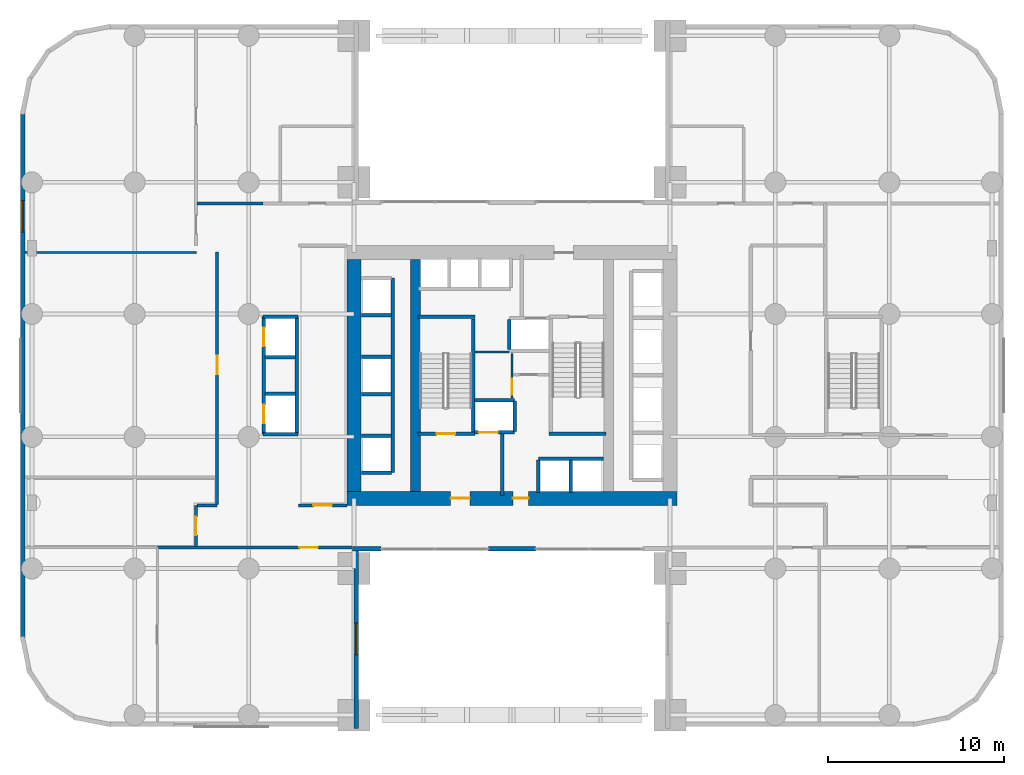
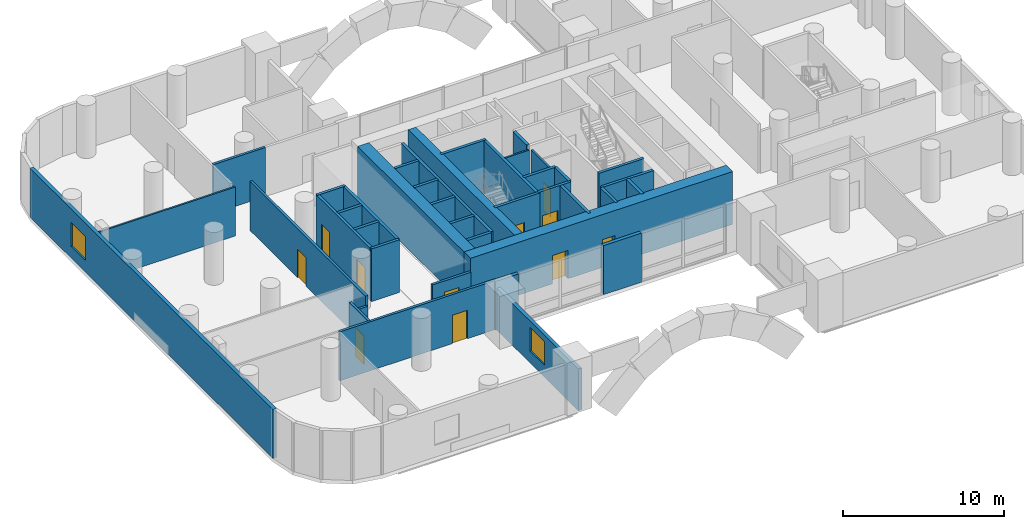
# One storey, part 5 of 9: 40 walls, 11 doors, 2 windows, 13 openings.
"""IFC4 building model written with IfcOpenShell, lengths in metres."""

from ifc_helpers import new_model, si_unit, direction, frame, frame_2d, origin, place, context, subcontext, project, spatial, rectangle, extrude, material, layer, layer_set, type_object, element, fill, save


model = new_model("IFC4")

# Units and contexts
model_context = context("Model", 3, precision=1e-05, world=origin(), true_north=direction((0.0, 1.0)))
body_context = subcontext(model_context, "Body", "Model", "MODEL_VIEW")
ifc_project = project(units=[si_unit("LENGTHUNIT", "METRE"), si_unit("AREAUNIT", "SQUARE_METRE"), si_unit("VOLUMEUNIT", "CUBIC_METRE"), si_unit("PLANEANGLEUNIT", "RADIAN"), si_unit("MASSUNIT", "GRAM", prefix="KILO")], contexts=[model_context])

# Site, building, storey
site_placement = place(None, origin())
site = spatial("IfcSite", under=ifc_project, at=site_placement, CompositionType="ELEMENT")
building_placement = place(site_placement, origin())
building = spatial("IfcBuilding", under=site, at=building_placement, Name="Veldorim Arch Residences", CompositionType="ELEMENT")
storey_placement = place(building_placement, frame((0.0, 0.0, 8.0)))
storey = spatial("IfcBuildingStorey", under=building, at=storey_placement, Name="L02", CompositionType="ELEMENT", Elevation=8.0)

# Wall, opening, door
ifc_material_1 = material(Name="Acoustic Gypsum Board", Category="gypsum")
ifc_layer_1 = layer(ifc_material_1, 0.125, Name="Acoustic Stud Room Partition Wall 125")
ifc_layer_set_1 = layer_set([ifc_layer_1], Name="Acoustic Gypsum Board")
wall_type_1 = type_object("IfcWallType", Name="Acoustic Stud Room Partition Wall 125", PredefinedType="PARTITIONING", material=ifc_layer_set_1)
wall_1_placement = place(storey_placement, frame((32.0, 22.719970703125, 0.0), z_axis=(0.0, 0.0, 1.0), x_axis=(0.0, 1.0, 0.0)))
wall_1 = element("IfcWall", 1, at=wall_1_placement, inside=storey, type_object=wall_type_1, Name="L02 interior wall WL-CA-L02-1", PredefinedType="PARTITIONING", context=body_context, shape_type="SweptSolid", body=[
    extrude(rectangle(XDim=2.52001953125, YDim=0.125, at=frame_2d((1.260009765625, 0.0))), origin(), (0.0, 0.0, 1.0), 3.715087890625),
])
opening_1_placement = place(wall_1_placement, frame((0.179931640625, 0.0, 0.0)))
opening_1 = element("IfcOpeningElement", 2, at=opening_1_placement, cuts=wall_1, Name="Opening DR-SVC", PredefinedType="OPENING", context=body_context, shape_type="SweptSolid", body=[
    extrude(rectangle(XDim=0.89990234375, YDim=2.10009765625, at=frame_2d((0.449951171875, 1.050048828125))), frame((0.0, 0.072509765625, 0.0), z_axis=(0.0, -1.0, 0.0), x_axis=(1.0, 0.0, 0.0)), (0.0, 0.0, 1.0), 0.14501953125),
])
ifc_material_2 = material(Name="Fire-Rated Steel", Category="steel")
door_type_1 = type_object("IfcDoorType", Name="Riser, Shelter & Plant Room Rated Steel Door 900x2100", OperationType="SINGLE_SWING_LEFT", PredefinedType="DOOR", material=ifc_material_2)
door_1_placement = place(opening_1_placement, origin())
door_1 = element("IfcDoor", 3, at=door_1_placement, inside=storey, type_object=door_type_1, Name="L02 interior door DR-L02-CA2", OperationType="SINGLE_SWING_RIGHT", OverallHeight=2.10009765625, OverallWidth=0.89990234375, PredefinedType="DOOR", context=body_context, shape_type="SweptSolid", body=[
    extrude(rectangle(XDim=0.89990234375, YDim=2.10009765625, at=frame_2d((0.449951171875, 1.050048828125))), frame((0.0, 0.02490234375, 0.0), z_axis=(0.0, -1.0, 0.0), x_axis=(1.0, 0.0, 0.0)), (0.0, 0.0, 1.0), 0.050048828125),
])
fill(opening_1, door_1)

# Walls
wall_2_placement = place(storey_placement, frame((29.889892578125, 25.330078125, 0.0), z_axis=(0.0, 0.0, 1.0), x_axis=(1.0, 0.0, 0.0)))
element("IfcWall", 4, at=wall_2_placement, inside=storey, type_object=wall_type_1, Name="L02 interior wall WL-CA-L02-N", PredefinedType="PARTITIONING", context=body_context, shape_type="SweptSolid", body=[
    extrude(rectangle(XDim=1.940185546875, YDim=0.125, at=frame_2d((0.97021484375, 0.0))), origin(), (0.0, 0.0, 1.0), 3.715087890625),
])
wall_3_placement = place(storey_placement, frame((4.25, 31.0, 0.0), z_axis=(0.0, 0.0, 1.0), x_axis=(1.0, 0.0, 0.0)))
element("IfcWall", 5, at=wall_3_placement, inside=storey, type_object=wall_type_1, Name="L02 interior wall WL-POD-L02-024", PredefinedType="PARTITIONING", context=body_context, shape_type="SweptSolid", body=[
    extrude(rectangle(XDim=9.77001953125, YDim=0.125, at=frame_2d((4.885009765625, 0.0))), origin(), (0.0, 0.0, 1.0), 3.715087890625),
])

# Wall, opening, door
ifc_material_3 = material(Name="Lightweight Masonry Block & Gypsum", Category="masonry")
ifc_layer_2 = layer(ifc_material_3, 0.179931640625, Name="Compartment & Corridor Fire-Rated Party Wall 180")
ifc_layer_set_2 = layer_set([ifc_layer_2], Name="Lightweight Masonry Block & Gypsum")
wall_type_2 = type_object("IfcWallType", Name="Compartment & Corridor Fire-Rated Party Wall 180", PredefinedType="PARTITIONING", material=ifc_layer_set_2)
wall_4_placement = place(storey_placement, frame((23.02001953125, 14.199951171875, 0.0), z_axis=(0.0, 0.0, 1.0), x_axis=(-1.0, 0.0, 0.0)))
wall_4 = element("IfcWall", 6, at=wall_4_placement, inside=storey, type_object=wall_type_2, Name="L02 interior wall WL-POD-L02-001", PredefinedType="PARTITIONING", context=body_context, shape_type="SweptSolid", body=[
    extrude(rectangle(XDim=11.219970703125, YDim=0.179931640625, at=frame_2d((5.60986328125, 0.0))), origin(), (0.0, 0.0, 1.0), 3.715087890625),
])
opening_2_placement = place(wall_4_placement, frame((2.0849609375, 0.0, 0.0)))
opening_2 = element("IfcOpeningElement", 7, at=opening_2_placement, cuts=wall_4, Name="Opening DR-CLN", PredefinedType="OPENING", context=body_context, shape_type="SweptSolid", body=[
    extrude(rectangle(XDim=1.050048828125, YDim=2.14990234375, at=frame_2d((0.52490234375, 1.074951171875))), frame((0.0, 0.099853515625, 0.0), z_axis=(0.0, -1.0, 0.0), x_axis=(1.0, 0.0, 0.0)), (0.0, 0.0, 1.0), 0.199951171875),
])
ifc_material_4 = material(Name="Timber & Vision Panel", Category="wood")
door_type_2 = type_object("IfcDoorType", Name="Polyclinic Wheelchair-Accessible Consultation Door 1050x2150", OperationType="SINGLE_SWING_LEFT", PredefinedType="DOOR", material=ifc_material_4)
door_2_placement = place(opening_2_placement, origin())
door_2 = element("IfcDoor", 8, at=door_2_placement, inside=storey, type_object=door_type_2, Name="L02 interior door DR-POD-L02-002", OperationType="SINGLE_SWING_RIGHT", OverallHeight=2.14990234375, OverallWidth=1.050048828125, PredefinedType="DOOR", context=body_context, shape_type="SweptSolid", body=[
    extrude(rectangle(XDim=1.050048828125, YDim=2.14990234375, at=frame_2d((0.52490234375, 1.074951171875))), frame((0.0, 0.02490234375, 0.0), z_axis=(0.0, -1.0, 0.0), x_axis=(1.0, 0.0, 0.0)), (0.0, 0.0, 1.0), 0.050048828125),
])
fill(opening_2, door_2)

wall_5_placement = place(storey_placement, frame((14.0, 14.260009765625, 0.0), z_axis=(0.0, 0.0, 1.0), x_axis=(0.0, 1.0, 0.0)))
wall_5 = element("IfcWall", 9, at=wall_5_placement, inside=storey, type_object=wall_type_2, Name="L02 interior wall WL-POD-L02-002", PredefinedType="PARTITIONING", context=body_context, shape_type="SweptSolid", body=[
    extrude(rectangle(XDim=2.340087890625, YDim=0.179931640625, at=frame_2d((1.169921875, 0.0))), origin(), (0.0, 0.0, 1.0), 3.715087890625),
])
opening_3_placement = place(wall_5_placement, frame((0.64501953125, 0.0, 0.0)))
opening_3 = element("IfcOpeningElement", 10, at=opening_3_placement, cuts=wall_5, Name="Opening DR-CLN", PredefinedType="OPENING", context=body_context, shape_type="SweptSolid", body=[
    extrude(rectangle(XDim=1.050048828125, YDim=2.14990234375, at=frame_2d((0.52490234375, 1.074951171875))), frame((0.0, 0.099853515625, 0.0), z_axis=(0.0, -1.0, 0.0), x_axis=(1.0, 0.0, 0.0)), (0.0, 0.0, 1.0), 0.199951171875),
])
door_3_placement = place(opening_3_placement, origin())
door_3 = element("IfcDoor", 11, at=door_3_placement, inside=storey, type_object=door_type_2, Name="L02 interior door DR-POD-L02-003", OperationType="SINGLE_SWING_LEFT", OverallHeight=2.14990234375, OverallWidth=1.050048828125, PredefinedType="DOOR", context=body_context, shape_type="SweptSolid", body=[
    extrude(rectangle(XDim=1.050048828125, YDim=2.14990234375, at=frame_2d((0.52490234375, 1.074951171875))), frame((0.0, 0.02490234375, 0.0), z_axis=(0.0, -1.0, 0.0), x_axis=(1.0, 0.0, 0.0)), (0.0, 0.0, 1.0), 0.050048828125),
])
fill(opening_3, door_3)

# Wall
wall_6_placement = place(storey_placement, frame((14.06005859375, 16.60009765625, 0.0), z_axis=(0.0, 0.0, 1.0), x_axis=(1.0, 0.0, 0.0)))
element("IfcWall", 12, at=wall_6_placement, inside=storey, type_object=wall_type_2, Name="L02 interior wall WL-POD-L02-003", PredefinedType="PARTITIONING", context=body_context, shape_type="SweptSolid", body=[
    extrude(rectangle(XDim=1.139892578125, YDim=0.179931640625, at=frame_2d((0.56982421875, 0.0))), origin(), (0.0, 0.0, 1.0), 3.008056640625),
])

# Wall, opening, door
wall_7_placement = place(storey_placement, frame((15.199951171875, 16.659912109375, 0.0), z_axis=(0.0, 0.0, 1.0), x_axis=(0.0, 1.0, 0.0)))
wall_7 = element("IfcWall", 13, at=wall_7_placement, inside=storey, type_object=wall_type_2, Name="L02 interior wall WL-POD-L02-004", PredefinedType="PARTITIONING", context=body_context, shape_type="SweptSolid", body=[
    extrude(rectangle(XDim=14.360107421875, YDim=0.179931640625, at=frame_2d((7.18017578125, 0.0))), origin(), (0.0, 0.0, 1.0), 3.715087890625),
])
opening_4_placement = place(wall_7_placement, frame((7.4150390625, 0.0, 0.0)))
opening_4 = element("IfcOpeningElement", 14, at=opening_4_placement, cuts=wall_7, Name="Opening DR-CLN", PredefinedType="OPENING", context=body_context, shape_type="SweptSolid", body=[
    extrude(rectangle(XDim=1.050048828125, YDim=2.14990234375, at=frame_2d((0.52490234375, 1.074951171875))), frame((0.0, 0.099853515625, 0.0), z_axis=(0.0, -1.0, 0.0), x_axis=(1.0, 0.0, 0.0)), (0.0, 0.0, 1.0), 0.199951171875),
])
door_4_placement = place(opening_4_placement, origin())
door_4 = element("IfcDoor", 15, at=door_4_placement, inside=storey, type_object=door_type_2, Name="L02 interior door DR-POD-L02-004", OperationType="SINGLE_SWING_RIGHT", OverallHeight=2.14990234375, OverallWidth=1.050048828125, PredefinedType="DOOR", context=body_context, shape_type="SweptSolid", body=[
    extrude(rectangle(XDim=1.050048828125, YDim=2.14990234375, at=frame_2d((0.52490234375, 1.074951171875))), frame((0.0, 0.02490234375, 0.0), z_axis=(0.0, -1.0, 0.0), x_axis=(1.0, 0.0, 0.0)), (0.0, 0.0, 1.0), 0.050048828125),
])
fill(opening_4, door_4)

# Wall
wall_8_placement = place(storey_placement, frame((14.06005859375, 33.800048828125, 0.0), z_axis=(0.0, 0.0, 1.0), x_axis=(1.0, 0.0, 0.0)))
element("IfcWall", 16, at=wall_8_placement, inside=storey, type_object=wall_type_2, Name="L02 interior wall WL-POD-L02-007", PredefinedType="PARTITIONING", context=body_context, shape_type="SweptSolid", body=[
    extrude(rectangle(XDim=3.739990234375, YDim=0.179931640625, at=frame_2d((1.8701171875, 0.0))), origin(), (0.0, 0.0, 1.0), 3.715087890625),
])

# Wall, opening, door
wall_9_placement = place(storey_placement, frame((19.830078125, 16.60009765625, 0.0), z_axis=(0.0, 0.0, 1.0), x_axis=(1.0, 0.0, 0.0)))
wall_9 = element("IfcWall", 17, at=wall_9_placement, inside=storey, type_object=wall_type_2, Name="L02 interior wall WL-POD-L02-008", PredefinedType="PARTITIONING", context=body_context, shape_type="SweptSolid", body=[
    extrude(rectangle(XDim=2.77001953125, YDim=0.179931640625, at=frame_2d((1.385009765625, 0.0))), origin(), (0.0, 0.0, 1.0), 3.008056640625),
])
opening_5_placement = place(wall_9_placement, frame((0.860107421875, 0.0, 0.0)))
opening_5 = element("IfcOpeningElement", 18, at=opening_5_placement, cuts=wall_9, Name="Opening DR-CLN", PredefinedType="OPENING", context=body_context, shape_type="SweptSolid", body=[
    extrude(rectangle(XDim=1.050048828125, YDim=2.14990234375, at=frame_2d((0.52490234375, 1.074951171875))), frame((0.0, 0.099853515625, 0.0), z_axis=(0.0, -1.0, 0.0), x_axis=(1.0, 0.0, 0.0)), (0.0, 0.0, 1.0), 0.199951171875),
])
door_5_placement = place(opening_5_placement, origin())
door_5 = element("IfcDoor", 19, at=door_5_placement, inside=storey, type_object=door_type_2, Name="L02 interior door DR-POD-L02-008", OperationType="SINGLE_SWING_RIGHT", OverallHeight=2.14990234375, OverallWidth=1.050048828125, PredefinedType="DOOR", context=body_context, shape_type="SweptSolid", body=[
    extrude(rectangle(XDim=1.050048828125, YDim=2.14990234375, at=frame_2d((0.52490234375, 1.074951171875))), frame((0.0, 0.02490234375, 0.0), z_axis=(0.0, -1.0, 0.0), x_axis=(1.0, 0.0, 0.0)), (0.0, 0.0, 1.0), 0.050048828125),
])
fill(opening_5, door_5)

# Walls
ifc_material_5 = material(Name="Concrete C50/60", Category="concrete")
ifc_layer_3 = layer(ifc_material_5, 0.199951171875, Name="Core Stair & Lift Shaft Enclosure Wall 200")
ifc_layer_set_3 = layer_set([ifc_layer_3], Name="Concrete C50/60")
wall_type_3 = type_object("IfcWallType", Name="Core Stair & Lift Shaft Enclosure Wall 200", PredefinedType="SHEAR", material=ifc_layer_set_3)
wall_10_placement = place(storey_placement, frame((29.7900390625, 20.780029296875, 0.0), z_axis=(0.0, 0.0, 1.0), x_axis=(0.0, 1.0, 0.0)))
element("IfcWall", 20, at=wall_10_placement, inside=storey, type_object=wall_type_3, Name="L02 shaft wall WL-SHF-L02-ST1-E", PredefinedType="SHEAR", context=body_context, shape_type="SweptSolid", body=[
    extrude(rectangle(XDim=6.43994140625, YDim=0.199951171875, at=frame_2d((3.219970703125, 0.0))), origin(), (0.0, 0.0, 1.0), 4.0),
])
wall_11_placement = place(storey_placement, frame((26.64990234375, 27.330078125, 0.0), z_axis=(0.0, 0.0, 1.0), x_axis=(1.0, 0.0, 0.0)))
element("IfcWall", 21, at=wall_11_placement, inside=storey, type_object=wall_type_3, Name="L02 shaft wall WL-SHF-L02-ST1-N", PredefinedType="SHEAR", context=body_context, shape_type="SweptSolid", body=[
    extrude(rectangle(XDim=3.239990234375, YDim=0.199951171875, at=frame_2d((1.6201171875, 0.0))), origin(), (0.0, 0.0, 1.0), 4.0),
])

# Wall, opening, door
wall_12_placement = place(storey_placement, frame((26.64990234375, 20.669921875, 0.0), z_axis=(0.0, 0.0, 1.0), x_axis=(1.0, 0.0, 0.0)))
wall_12 = element("IfcWall", 22, at=wall_12_placement, inside=storey, type_object=wall_type_3, Name="L02 shaft wall WL-SHF-L02-ST1-S", PredefinedType="SHEAR", context=body_context, shape_type="SweptSolid", body=[
    extrude(rectangle(XDim=3.239990234375, YDim=0.199951171875, at=frame_2d((1.6201171875, 0.0))), origin(), (0.0, 0.0, 1.0), 4.0),
])
opening_6_placement = place(wall_12_placement, frame((1.054931640625, 0.0, 0.0)))
opening_6 = element("IfcOpeningElement", 23, at=opening_6_placement, cuts=wall_12, Name="Opening DR-ST", PredefinedType="OPENING", context=body_context, shape_type="SweptSolid", body=[
    extrude(rectangle(XDim=1.050048828125, YDim=2.14990234375, at=frame_2d((0.52490234375, 1.074951171875))), frame((0.0, 0.10986328125, 0.0), z_axis=(0.0, -1.0, 0.0), x_axis=(1.0, 0.0, 0.0)), (0.0, 0.0, 1.0), 0.219970703125),
])
ifc_material_6 = material(Name="Fire-Rated Steel", Category="steel")
door_type_3 = type_object("IfcDoorType", Name="Exit Staircase Self-Closing Fire Door 1050x2150", OperationType="SINGLE_SWING_LEFT", PredefinedType="DOOR", material=ifc_material_6)
door_6_placement = place(opening_6_placement, origin())
door_6 = element("IfcDoor", 24, at=door_6_placement, inside=storey, type_object=door_type_3, Name="L02 interior door DR-L02-ST1", OperationType="SINGLE_SWING_LEFT", OverallHeight=2.14990234375, OverallWidth=1.050048828125, PredefinedType="DOOR", context=body_context, shape_type="SweptSolid", body=[
    extrude(rectangle(XDim=1.050048828125, YDim=2.14990234375, at=frame_2d((0.52490234375, 1.074951171875))), frame((0.0, 0.02490234375, 0.0), z_axis=(0.0, -1.0, 0.0), x_axis=(1.0, 0.0, 0.0)), (0.0, 0.0, 1.0), 0.050048828125),
])
fill(opening_6, door_6)

# Walls
wall_13_placement = place(storey_placement, frame((34.110107421875, 20.669921875, 0.0), z_axis=(0.0, 0.0, 1.0), x_axis=(1.0, 0.0, 0.0)))
element("IfcWall", 25, at=wall_13_placement, inside=storey, type_object=wall_type_3, Name="L02 shaft wall WL-SHF-L02-ST2-S", PredefinedType="SHEAR", context=body_context, shape_type="SweptSolid", body=[
    extrude(rectangle(XDim=3.239990234375, YDim=0.199951171875, at=frame_2d((1.6201171875, 0.0))), origin(), (0.0, 0.0, 1.0), 4.0),
])
wall_14_placement = place(storey_placement, frame((31.449951171875, 17.14990234375, 0.0), z_axis=(0.0, 0.0, 1.0), x_axis=(0.0, 1.0, 0.0)))
element("IfcWall", 26, at=wall_14_placement, inside=storey, type_object=wall_type_3, Name="L02 shaft wall WL-FFL1-L02-E", PredefinedType="SHEAR", context=body_context, shape_type="SweptSolid", body=[
    extrude(rectangle(XDim=3.5, YDim=0.199951171875, at=frame_2d((1.75, 0.0))), origin(), (0.0, 0.0, 1.0), 4.0),
])

# Wall, opening, door
wall_15_placement = place(storey_placement, frame((29.85009765625, 20.75, 0.0), z_axis=(0.0, 0.0, 1.0), x_axis=(1.0, 0.0, 0.0)))
wall_15 = element("IfcWall", 27, at=wall_15_placement, inside=storey, type_object=wall_type_3, Name="L02 shaft wall WL-FL01-L02-S", PredefinedType="SHEAR", context=body_context, shape_type="SweptSolid", body=[
    extrude(rectangle(XDim=2.2998046875, YDim=0.199951171875, at=frame_2d((1.14990234375, 0.0))), origin(), (0.0, 0.0, 1.0), 4.0),
])
opening_7_placement = place(wall_15_placement, frame((0.25, 0.0, 0.0)))
opening_7 = element("IfcOpeningElement", 28, at=opening_7_placement, cuts=wall_15, Name="Opening LD-FF", PredefinedType="OPENING", context=body_context, shape_type="SweptSolid", body=[
    extrude(rectangle(XDim=1.10009765625, YDim=2.14990234375, at=frame_2d((0.550048828125, 1.074951171875))), frame((0.0, 0.10986328125, 0.0), z_axis=(0.0, -1.0, 0.0), x_axis=(1.0, 0.0, 0.0)), (0.0, 0.0, 1.0), 0.219970703125),
])
ifc_material_7 = material(Name="Stainless Steel", Category="steel")
door_type_4 = type_object("IfcDoorType", Name="Firefighting Lift Bi-Parting Sliding Landing Door 1100x2150", OperationType="DOUBLE_DOOR_SLIDING", PredefinedType="DOOR", material=ifc_material_7)
door_7_placement = place(opening_7_placement, origin())
door_7 = element("IfcDoor", 29, at=door_7_placement, inside=storey, type_object=door_type_4, Name="L02 lift landing door LD-L02-FL01", OperationType="DOUBLE_DOOR_SLIDING", OverallHeight=2.14990234375, OverallWidth=1.10009765625, PredefinedType="DOOR", context=body_context, shape_type="SweptSolid", body=[
    extrude(rectangle(XDim=1.10009765625, YDim=2.14990234375, at=frame_2d((0.550048828125, 1.074951171875))), frame((0.0, 0.02490234375, 0.0), z_axis=(0.0, -1.0, 0.0), x_axis=(1.0, 0.0, 0.0)), (0.0, 0.0, 1.0), 0.050048828125),
])
fill(opening_7, door_7)

# Walls
wall_16_placement = place(storey_placement, frame((29.85009765625, 22.60009765625, 0.0), z_axis=(0.0, 0.0, 1.0), x_axis=(1.0, 0.0, 0.0)))
element("IfcWall", 30, at=wall_16_placement, inside=storey, type_object=wall_type_3, Name="L02 shaft wall WL-FL01-L02-N", PredefinedType="SHEAR", context=body_context, shape_type="SweptSolid", body=[
    extrude(rectangle(XDim=2.2998046875, YDim=0.199951171875, at=frame_2d((1.14990234375, 0.0))), origin(), (0.0, 0.0, 1.0), 4.0),
])
for number, where, z_axis, x_axis, name in (
    (31, (32.14990234375, 20.820068359375, 0.0), (0.0, 0.0, 1.0), (0.0, 1.0, 0.0), "L02 shaft wall WL-FL01-L02-E"),
    (32, (31.85009765625, 25.469970703125, 0.0), (0.0, 0.0, 1.0), (0.0, 1.0, 0.0), "L02 shaft wall WL-FL02-L02-W"),
):
    element("IfcWall", number, at=place(storey_placement, frame(where, z_axis=z_axis, x_axis=x_axis)), inside=storey, type_object=wall_type_3, Name=name, PredefinedType="SHEAR", context=body_context, shape_type="SweptSolid", body=[
        extrude(rectangle(XDim=1.7099609375, YDim=0.199951171875, at=frame_2d((0.85498046875, 0.0))), origin(), (0.0, 0.0, 1.0), 4.0),
    ])
wall_17_placement = place(storey_placement, frame((25.199951171875, 18.4599609375, 0.0), z_axis=(0.0, 0.0, 1.0), x_axis=(0.0, 1.0, 0.0)))
element("IfcWall", 33, at=wall_17_placement, inside=storey, type_object=wall_type_3, Name="L02 shaft wall WL-B2-L02-E", PredefinedType="SHEAR", context=body_context, shape_type="SweptSolid", body=[
    extrude(rectangle(XDim=11.080078125, YDim=0.199951171875, at=frame_2d((5.5400390625, 0.0))), origin(), (0.0, 0.0, 1.0), 4.0),
])
for number, where, z_axis, x_axis, name in (
    (34, (23.419921875, 18.4599609375, 0.0), (0.0, 0.0, 1.0), (1.0, 0.0, 0.0), "L02 shaft wall WL-B2-L02-S"),
    (35, (23.419921875, 20.56005859375, 0.0), (0.0, 0.0, 1.0), (1.0, 0.0, 0.0), "L02 shaft wall WL-B2-L02-D1A"),
    (36, (23.419921875, 22.93994140625, 0.0), (0.0, 0.0, 1.0), (1.0, 0.0, 0.0), "L02 shaft wall WL-B2-L02-D1B"),
    (37, (23.419921875, 25.06005859375, 0.0), (0.0, 0.0, 1.0), (1.0, 0.0, 0.0), "L02 shaft wall WL-B2-L02-D2A"),
    (38, (23.419921875, 27.43994140625, 0.0), (0.0, 0.0, 1.0), (1.0, 0.0, 0.0), "L02 shaft wall WL-B2-L02-D2B"),
):
    element("IfcWall", number, at=place(storey_placement, frame(where, z_axis=z_axis, x_axis=x_axis)), inside=storey, type_object=wall_type_3, Name=name, PredefinedType="SHEAR", context=body_context, shape_type="SweptSolid", body=[
        extrude(rectangle(XDim=1.7099609375, YDim=0.199951171875, at=frame_2d((0.85498046875, 0.0))), origin(), (0.0, 0.0, 1.0), 4.0),
    ])
wall_18_placement = place(storey_placement, frame((33.5, 19.25, 0.0), z_axis=(0.0, 0.0, 1.0), x_axis=(1.0, 0.0, 0.0)))
element("IfcWall", 39, at=wall_18_placement, inside=storey, type_object=wall_type_3, Name="L02 shaft wall WL-OL-L02-N", PredefinedType="SHEAR", context=body_context, shape_type="SweptSolid", body=[
    extrude(rectangle(XDim=3.719970703125, YDim=0.199951171875, at=frame_2d((1.85986328125, 0.0))), origin(), (0.0, 0.0, 1.0), 4.0),
])
for number, where, z_axis, x_axis, name in (
    (40, (33.5, 17.320068359375, 0.0), (0.0, 0.0, 1.0), (0.0, 1.0, 0.0), "L02 shaft wall WL-OL-L02-W"),
    (41, (35.35009765625, 17.320068359375, 0.0), (0.0, 0.0, 1.0), (0.0, 1.0, 0.0), "L02 shaft wall WL-OL-L02-D1"),
):
    element("IfcWall", number, at=place(storey_placement, frame(where, z_axis=z_axis, x_axis=x_axis)), inside=storey, type_object=wall_type_3, Name=name, PredefinedType="SHEAR", context=body_context, shape_type="SweptSolid", body=[
        extrude(rectangle(XDim=1.85986328125, YDim=0.199951171875, at=frame_2d((0.929931640625, 0.0))), origin(), (0.0, 0.0, 1.0), 4.0),
    ])

# Wall, openings, doors
wall_19_placement = place(storey_placement, frame((17.85009765625, 20.64990234375, 0.0), z_axis=(0.0, 0.0, 1.0), x_axis=(0.0, 1.0, 0.0)))
wall_19 = element("IfcWall", 42, at=wall_19_placement, inside=storey, type_object=wall_type_3, Name="L02 shaft wall WL-SHF-L02-CL-W", PredefinedType="SHEAR", context=body_context, shape_type="SweptSolid", body=[
    extrude(rectangle(XDim=6.7001953125, YDim=0.199951171875, at=frame_2d((3.35009765625, 0.0))), origin(), (0.0, 0.0, 1.0), 4.0),
])
opening_8_placement = place(wall_19_placement, frame((0.625, 0.0, 0.0)))
opening_8 = element("IfcOpeningElement", 43, at=opening_8_placement, cuts=wall_19, Name="Opening LD-PS", PredefinedType="OPENING", context=body_context, shape_type="SweptSolid", body=[
    extrude(rectangle(XDim=1.050048828125, YDim=2.14990234375, at=frame_2d((0.52490234375, 1.074951171875))), frame((0.0, 0.10986328125, 0.0), z_axis=(0.0, -1.0, 0.0), x_axis=(1.0, 0.0, 0.0)), (0.0, 0.0, 1.0), 0.219970703125),
])
opening_9_placement = place(wall_19_placement, frame((5.02490234375, 0.0, 0.0)))
opening_9 = element("IfcOpeningElement", 44, at=opening_9_placement, cuts=wall_19, Name="Opening LD-PS", PredefinedType="OPENING", context=body_context, shape_type="SweptSolid", body=[
    extrude(rectangle(XDim=1.050048828125, YDim=2.14990234375, at=frame_2d((0.52490234375, 1.074951171875))), frame((0.0, 0.10986328125, 0.0), z_axis=(0.0, -1.0, 0.0), x_axis=(1.0, 0.0, 0.0)), (0.0, 0.0, 1.0), 0.219970703125),
])
ifc_material_8 = material(Name="Stainless Steel", Category="steel")
door_type_5 = type_object("IfcDoorType", Name="Passenger Lift Bi-Parting Sliding Landing Door 1050x2150", OperationType="DOUBLE_DOOR_SLIDING", PredefinedType="DOOR", material=ifc_material_8)
door_8_placement = place(opening_8_placement, origin())
door_8 = element("IfcDoor", 45, at=door_8_placement, inside=storey, type_object=door_type_5, Name="L02 lift landing door LD-L02-CL-01", OperationType="DOUBLE_DOOR_SLIDING", OverallHeight=2.14990234375, OverallWidth=1.050048828125, PredefinedType="DOOR", context=body_context, shape_type="SweptSolid", body=[
    extrude(rectangle(XDim=1.050048828125, YDim=2.14990234375, at=frame_2d((0.52490234375, 1.074951171875))), frame((0.0, 0.02490234375, 0.0), z_axis=(0.0, -1.0, 0.0), x_axis=(1.0, 0.0, 0.0)), (0.0, 0.0, 1.0), 0.050048828125),
])
fill(opening_8, door_8)
door_9_placement = place(opening_9_placement, origin())
door_9 = element("IfcDoor", 46, at=door_9_placement, inside=storey, type_object=door_type_5, Name="L02 lift landing door LD-L02-CL-02", OperationType="DOUBLE_DOOR_SLIDING", OverallHeight=2.14990234375, OverallWidth=1.050048828125, PredefinedType="DOOR", context=body_context, shape_type="SweptSolid", body=[
    extrude(rectangle(XDim=1.050048828125, YDim=2.14990234375, at=frame_2d((0.52490234375, 1.074951171875))), frame((0.0, 0.02490234375, 0.0), z_axis=(0.0, -1.0, 0.0), x_axis=(1.0, 0.0, 0.0)), (0.0, 0.0, 1.0), 0.050048828125),
])
fill(opening_9, door_9)

# Walls
wall_20_placement = place(storey_placement, frame((19.75, 20.64990234375, 0.0), z_axis=(0.0, 0.0, 1.0), x_axis=(0.0, 1.0, 0.0)))
element("IfcWall", 47, at=wall_20_placement, inside=storey, type_object=wall_type_3, Name="L02 shaft wall WL-SHF-L02-CL-E", PredefinedType="SHEAR", context=body_context, shape_type="SweptSolid", body=[
    extrude(rectangle(XDim=6.7001953125, YDim=0.199951171875, at=frame_2d((3.35009765625, 0.0))), origin(), (0.0, 0.0, 1.0), 4.0),
])
for number, where, z_axis, x_axis, name in (
    (48, (17.800048828125, 20.64990234375, 0.0), (0.0, 0.0, 1.0), (1.0, 0.0, 0.0), "L02 shaft wall WL-SHF-L02-CL-S"),
    (49, (17.800048828125, 27.35009765625, 0.0), (0.0, 0.0, 1.0), (1.0, 0.0, 0.0), "L02 shaft wall WL-SHF-L02-CL-N"),
):
    element("IfcWall", number, at=place(storey_placement, frame(where, z_axis=z_axis, x_axis=x_axis)), inside=storey, type_object=wall_type_3, Name=name, PredefinedType="SHEAR", context=body_context, shape_type="SweptSolid", body=[
        extrude(rectangle(XDim=2.0, YDim=0.199951171875, at=frame_2d((1.0, 0.0))), origin(), (0.0, 0.0, 1.0), 4.0),
    ])
for number, where, z_axis, x_axis, name in (
    (50, (17.919921875, 22.969970703125, 0.0), (0.0, 0.0, 1.0), (1.0, 0.0, 0.0), "L02 shaft wall WL-SHF-L02-CL-M1"),
    (51, (17.919921875, 25.030029296875, 0.0), (0.0, 0.0, 1.0), (1.0, 0.0, 0.0), "L02 shaft wall WL-SHF-L02-CL-M2"),
):
    element("IfcWall", number, at=place(storey_placement, frame(where, z_axis=z_axis, x_axis=x_axis)), inside=storey, type_object=wall_type_3, Name=name, PredefinedType="SHEAR", context=body_context, shape_type="SweptSolid", body=[
        extrude(rectangle(XDim=1.760009765625, YDim=0.199951171875, at=frame_2d((0.8798828125, 0.0))), origin(), (0.0, 0.0, 1.0), 4.0),
    ])
ifc_material_9 = material(Name="Concrete C60/75", Category="concrete")
ifc_layer_4 = layer(ifc_material_9, 0.56005859375, Name="Internal Core Shear Web Wall 560")
ifc_layer_set_4 = layer_set([ifc_layer_4], Name="Concrete C60/75")
wall_type_4 = type_object("IfcWallType", Name="Internal Core Shear Web Wall 560", PredefinedType="SHEAR", material=ifc_layer_set_4)
wall_21_placement = place(storey_placement, frame((26.5, 17.39990234375, 0.0), z_axis=(0.0, 0.0, 1.0), x_axis=(0.0, 1.0, 0.0)))
element("IfcWall", 52, at=wall_21_placement, inside=storey, type_object=wall_type_4, Name="L02 core west internal shear web", PredefinedType="SHEAR", context=body_context, shape_type="SweptSolid", body=[
    extrude(rectangle(XDim=13.2001953125, YDim=0.56005859375, at=frame_2d((6.60009765625, 0.0))), origin(), (0.0, 0.0, 1.0), 4.0),
])

# Wall, openings, doors
ifc_material_10 = material(Name="Concrete C60/75", Category="concrete")
ifc_layer_5 = layer(ifc_material_10, 0.800048828125, Name="Lower Central Core Shear Wall 800")
ifc_layer_set_5 = layer_set([ifc_layer_5], Name="Concrete C60/75")
wall_type_5 = type_object("IfcWallType", Name="Lower Central Core Shear Wall 800", PredefinedType="SHEAR", material=ifc_layer_set_5)
wall_22_placement = place(storey_placement, frame((22.60009765625, 17.0, 0.0), z_axis=(0.0, 0.0, 1.0), x_axis=(1.0, 0.0, 0.0)))
wall_22 = element("IfcWall", 53, at=wall_22_placement, inside=storey, type_object=wall_type_5, Name="L02 central core south shear wall", PredefinedType="SHEAR", context=body_context, shape_type="SweptSolid", body=[
    extrude(rectangle(XDim=18.7998046875, YDim=0.800048828125, at=frame_2d((9.39990234375, 0.0))), origin(), (0.0, 0.0, 1.0), 4.0),
])
opening_10_placement = place(wall_22_placement, frame((5.89990234375, 0.0, 0.0)))
opening_10 = element("IfcOpeningElement", 54, at=opening_10_placement, cuts=wall_22, Name="Opening DR-FFL", PredefinedType="OPENING", context=body_context, shape_type="SweptSolid", body=[
    extrude(rectangle(XDim=1.10009765625, YDim=2.14990234375, at=frame_2d((0.550048828125, 1.074951171875))), frame((0.0, 0.409912109375, 0.0), z_axis=(0.0, -1.0, 0.0), x_axis=(1.0, 0.0, 0.0)), (0.0, 0.0, 1.0), 0.820068359375),
])
opening_11_placement = place(wall_22_placement, frame((9.449951171875, 0.0, 0.0)))
opening_11 = element("IfcOpeningElement", 55, at=opening_11_placement, cuts=wall_22, Name="Opening DR-SVC", PredefinedType="OPENING", context=body_context, shape_type="SweptSolid", body=[
    extrude(rectangle(XDim=0.89990234375, YDim=2.10009765625, at=frame_2d((0.449951171875, 1.050048828125))), frame((0.0, 0.409912109375, 0.0), z_axis=(0.0, -1.0, 0.0), x_axis=(1.0, 0.0, 0.0)), (0.0, 0.0, 1.0), 0.820068359375),
])
ifc_material_11 = material(Name="Fire-Rated Steel & Vision Glass", Category="steel")
door_type_6 = type_object("IfcDoorType", Name="Firefighting Lobby Smoke-Stop Fire Door 1100x2150", OperationType="SINGLE_SWING_LEFT", PredefinedType="DOOR", material=ifc_material_11)
door_10_placement = place(opening_10_placement, origin())
door_10 = element("IfcDoor", 56, at=door_10_placement, inside=storey, type_object=door_type_6, Name="L02 interior door DR-L02-FFL1", OperationType="SINGLE_SWING_RIGHT", OverallHeight=2.14990234375, OverallWidth=1.10009765625, PredefinedType="DOOR", context=body_context, shape_type="SweptSolid", body=[
    extrude(rectangle(XDim=1.10009765625, YDim=2.14990234375, at=frame_2d((0.550048828125, 1.074951171875))), frame((0.0, 0.02490234375, 0.0), z_axis=(0.0, -1.0, 0.0), x_axis=(1.0, 0.0, 0.0)), (0.0, 0.0, 1.0), 0.050048828125),
])
fill(opening_10, door_10)
door_11_placement = place(opening_11_placement, origin())
door_11 = element("IfcDoor", 57, at=door_11_placement, inside=storey, type_object=door_type_1, Name="L02 interior door DR-L02-COR-ANC", OperationType="SINGLE_SWING_LEFT", OverallHeight=2.10009765625, OverallWidth=0.89990234375, PredefinedType="DOOR", context=body_context, shape_type="SweptSolid", body=[
    extrude(rectangle(XDim=0.89990234375, YDim=2.10009765625, at=frame_2d((0.449951171875, 1.050048828125))), frame((0.0, 0.02490234375, 0.0), z_axis=(0.0, -1.0, 0.0), x_axis=(1.0, 0.0, 0.0)), (0.0, 0.0, 1.0), 0.050048828125),
])
fill(opening_11, door_11)

# Walls
wall_23_placement = place(storey_placement, frame((23.0, 17.39990234375, 0.0), z_axis=(0.0, 0.0, 1.0), x_axis=(0.0, 1.0, 0.0)))
element("IfcWall", 58, at=wall_23_placement, inside=storey, type_object=wall_type_5, Name="L02 central core west shear wall", PredefinedType="SHEAR", context=body_context, shape_type="SweptSolid", body=[
    extrude(rectangle(XDim=13.2001953125, YDim=0.800048828125, at=frame_2d((6.60009765625, 0.0))), origin(), (0.0, 0.0, 1.0), 4.0),
])
ifc_material_12 = material(Name="Precast concrete C40/50", Category="concrete")
ifc_layer_6 = layer(ifc_material_12, 0.25, Name="Podium Terracotta Insulated Facade Wall 250")
ifc_layer_set_6 = layer_set([ifc_layer_6], Name="Precast concrete C40/50")
wall_type_6 = type_object("IfcWallType", Name="Podium Terracotta Insulated Facade Wall 250", PredefinedType="SOLIDWALL", material=ifc_layer_set_6)
wall_24_placement = place(storey_placement, frame((33.35009765625, 14.125, 0.0), z_axis=(0.0, 0.0, 1.0), x_axis=(-1.0, 0.0, 0.0)))
element("IfcWall", 59, at=wall_24_placement, inside=storey, type_object=wall_type_6, Name="L02 podium facade pier wall 11M", PredefinedType="SOLIDWALL", context=body_context, shape_type="SweptSolid", body=[
    extrude(rectangle(XDim=2.7001953125, YDim=0.25, at=frame_2d((1.35009765625, 0.0))), origin(), (0.0, 0.0, 1.0), 3.719970703125),
])
wall_25_placement = place(storey_placement, frame((24.550048828125, 14.125, 0.0), z_axis=(0.0, 0.0, 1.0), x_axis=(-1.0, 0.0, 0.0)))
element("IfcWall", 60, at=wall_25_placement, inside=storey, type_object=wall_type_6, Name="L02 podium facade pier wall 11B", PredefinedType="SOLIDWALL", context=body_context, shape_type="SweptSolid", body=[
    extrude(rectangle(XDim=1.650146484375, YDim=0.25, at=frame_2d((0.8251953125, 0.0))), origin(), (0.0, 0.0, 1.0), 3.719970703125),
])

# Wall, opening, window
wall_26_placement = place(storey_placement, frame((23.125, 3.89990234375, 0.0), z_axis=(0.0, 0.0, 1.0), x_axis=(0.0, 1.0, 0.0)))
wall_26 = element("IfcWall", 61, at=wall_26_placement, inside=storey, type_object=wall_type_6, Name="L02 podium terracotta facade wall 12", PredefinedType="SOLIDWALL", context=body_context, shape_type="SweptSolid", body=[
    extrude(rectangle(XDim=10.2001953125, YDim=0.25, at=frame_2d((5.10009765625, 0.0))), origin(), (0.0, 0.0, 1.0), 3.178466796875),
])
opening_12_placement = place(wall_26_placement, frame((4.199951171875, 0.0, 0.89990234375)))
opening_12 = element("IfcOpeningElement", 62, at=opening_12_placement, cuts=wall_26, Name="Opening WN-01", PredefinedType="OPENING", context=body_context, shape_type="SweptSolid", body=[
    extrude(rectangle(XDim=1.800048828125, YDim=1.800048828125, at=frame_2d((0.89990234375, 0.89990234375))), frame((0.0, 0.135009765625, 0.0), z_axis=(0.0, -1.0, 0.0), x_axis=(1.0, 0.0, 0.0)), (0.0, 0.0, 1.0), 0.27001953125),
])
ifc_material_13 = material(Name="Laminated Low-E Glass", Category="glass")
window_type = type_object("IfcWindowType", Name="Polyclinic Double-Glazed Window 1800x1800", PartitioningType="SINGLE_PANEL", PredefinedType="WINDOW", material=ifc_material_13)
window_1_placement = place(opening_12_placement, origin())
window_1 = element("IfcWindow", 63, at=window_1_placement, inside=storey, type_object=window_type, Name="L02 outpatient clinic window 12-1", OverallHeight=1.800048828125, OverallWidth=1.800048828125, PartitioningType="SINGLE_PANEL", PredefinedType="WINDOW", context=body_context, shape_type="SweptSolid", body=[
    extrude(rectangle(XDim=1.800048828125, YDim=1.800048828125, at=frame_2d((0.89990234375, 0.89990234375))), frame((0.0, 0.030029296875, 0.0), z_axis=(0.0, -1.0, 0.0), x_axis=(1.0, 0.0, 0.0)), (0.0, 0.0, 1.0), 0.06005859375),
])
fill(opening_12, window_1)

wall_27_placement = place(storey_placement, frame((4.125, 8.89990234375, 0.0), z_axis=(0.0, 0.0, 1.0), x_axis=(0.0, 1.0, 0.0)))
wall_27 = element("IfcWall", 64, at=wall_27_placement, inside=storey, type_object=wall_type_6, Name="L02 podium terracotta facade wall 18", PredefinedType="SOLIDWALL", context=body_context, shape_type="SweptSolid", body=[
    extrude(rectangle(XDim=30.2001953125, YDim=0.25, at=frame_2d((15.10009765625, 0.0))), origin(), (0.0, 0.0, 1.0), 3.719970703125),
])
opening_13_placement = place(wall_27_placement, frame((23.260009765625, 0.0, 0.89990234375)))
opening_13 = element("IfcOpeningElement", 65, at=opening_13_placement, cuts=wall_27, Name="Opening WN-01", PredefinedType="OPENING", context=body_context, shape_type="SweptSolid", body=[
    extrude(rectangle(XDim=1.800048828125, YDim=1.800048828125, at=frame_2d((0.89990234375, 0.89990234375))), frame((0.0, 0.135009765625, 0.0), z_axis=(0.0, -1.0, 0.0), x_axis=(1.0, 0.0, 0.0)), (0.0, 0.0, 1.0), 0.27001953125),
])
window_2_placement = place(opening_13_placement, origin())
window_2 = element("IfcWindow", 66, at=window_2_placement, inside=storey, type_object=window_type, Name="L02 outpatient clinic window 18-4", OverallHeight=1.800048828125, OverallWidth=1.800048828125, PartitioningType="SINGLE_PANEL", PredefinedType="WINDOW", context=body_context, shape_type="SweptSolid", body=[
    extrude(rectangle(XDim=1.800048828125, YDim=1.800048828125, at=frame_2d((0.89990234375, 0.89990234375))), frame((0.0, 0.030029296875, 0.0), z_axis=(0.0, -1.0, 0.0), x_axis=(1.0, 0.0, 0.0)), (0.0, 0.0, 1.0), 0.06005859375),
])
fill(opening_13, window_2)

save(model, "model.ifc")
